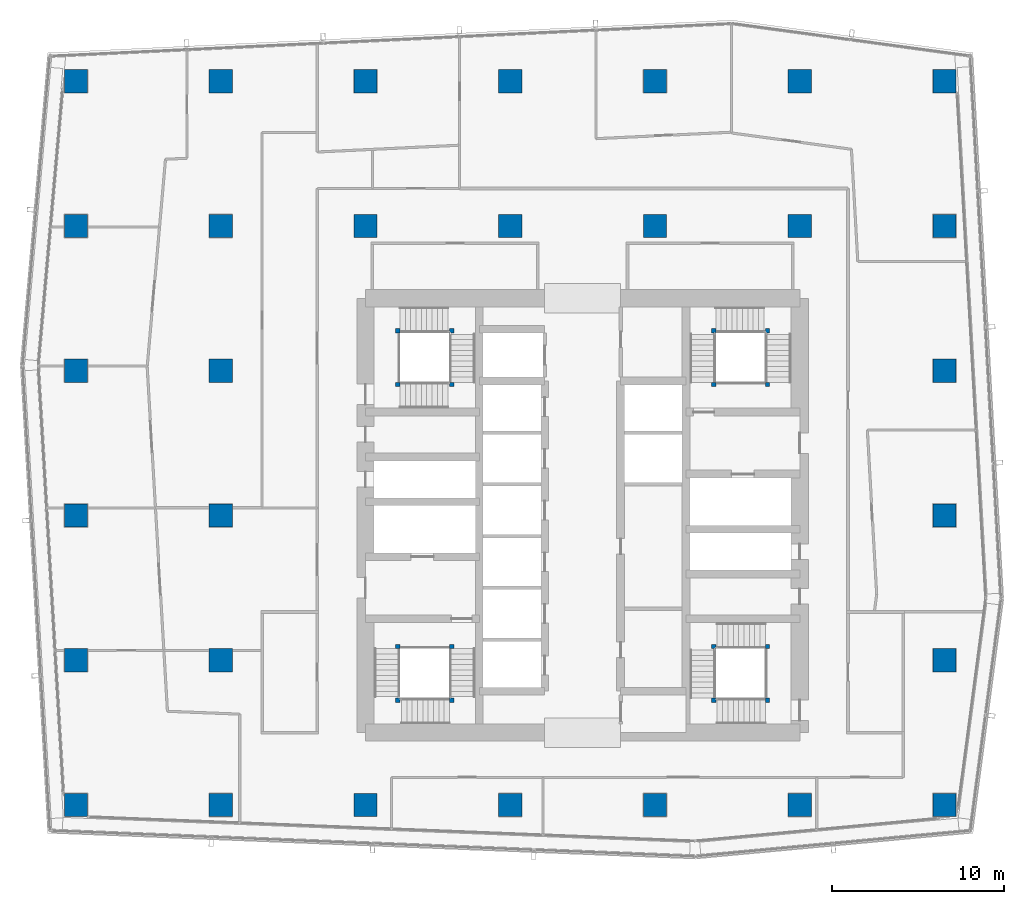
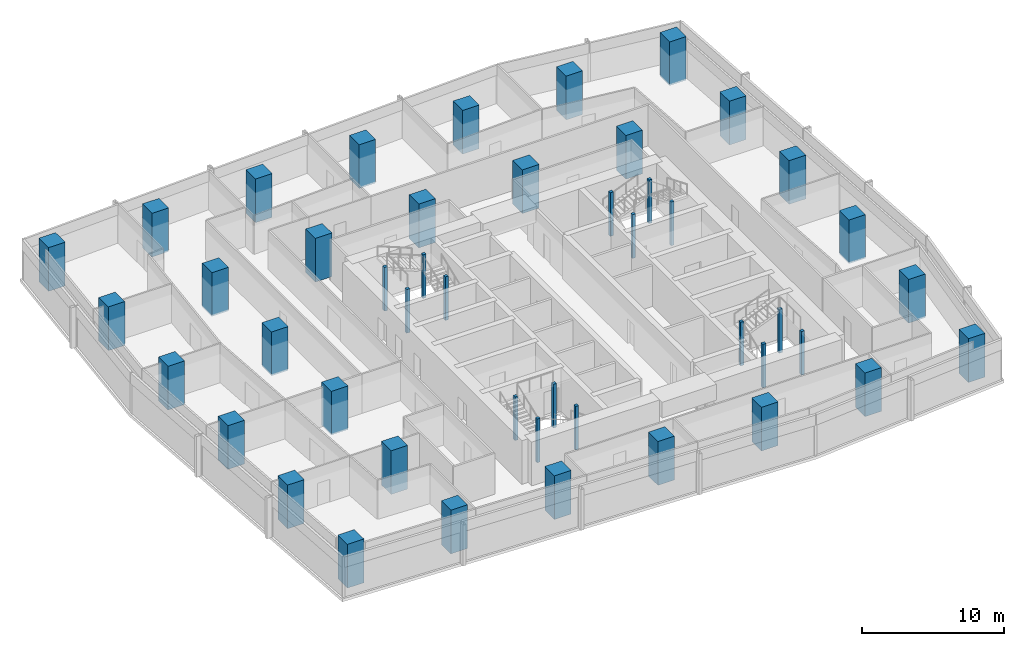
# One storey, part 1 of 39: 46 columns.
"""IFC4 building model written with IfcOpenShell, lengths in metres."""

from ifc_helpers import new_model, si_unit, direction, frame, origin, origin_2d, place, context, subcontext, project, spatial, rectangle, extrude, material, material_profile, profile_set, type_object, element, save


model = new_model("IFC4")

# Units and contexts
model_context = context("Model", 3, precision=1e-05, world=origin(), true_north=direction((0.0, 1.0)))
body_context = subcontext(model_context, "Body", "Model", "MODEL_VIEW")
ifc_project = project(units=[si_unit("LENGTHUNIT", "METRE"), si_unit("AREAUNIT", "SQUARE_METRE"), si_unit("VOLUMEUNIT", "CUBIC_METRE"), si_unit("PLANEANGLEUNIT", "RADIAN"), si_unit("MASSUNIT", "GRAM", prefix="KILO")], contexts=[model_context])

# Site, building, storey
site_placement = place(None, origin())
site = spatial("IfcSite", under=ifc_project, at=site_placement, CompositionType="ELEMENT")
building_placement = place(site_placement, origin())
building = spatial("IfcBuilding", under=site, at=building_placement, Name="Rekha Terrace Tower", CompositionType="ELEMENT")
storey_placement = place(building_placement, frame((0.0, 0.0, 217.699951171875)))
storey = spatial("IfcBuildingStorey", under=building, at=storey_placement, Name="L55", CompositionType="ELEMENT", Elevation=217.699951171875)

# Columns
ifc_material_1 = material(Name="Concrete M70", Category="concrete")
ifc_material_profile_1 = material_profile(ifc_material_1, rectangle(XDim=1.35009765625, YDim=1.35009765625, at=origin_2d()), Name="RC 1350x1350")
ifc_profile_set_1 = profile_set([ifc_material_profile_1], Name="Concrete M70")
column_type_1 = type_object("IfcColumnType", Name="C4 1350x1350 column", PredefinedType="COLUMN", material=ifc_profile_set_1)
for number, where, z_axis, x_axis, name in (
    (1, (8.39990234375, 16.800048828125, 0.0), (0.0, 0.0, 1.0), (1.0, 0.0, 0.0), "Column C4 2/C L55"),
    (2, (8.39990234375, 25.199951171875, 0.0), (0.0, 0.0, 1.0), (1.0, 0.0, 0.0), "Column C4 2/D L55"),
    (3, (8.39990234375, 33.60009765625, 0.0), (0.0, 0.0, 1.0), (1.0, 0.0, 0.0), "Column C4 2/E L55"),
    (4, (8.39990234375, 42.0, 0.0), (0.0, 0.0, 1.0), (1.0, 0.0, 0.0), "Column C4 2/F L55"),
    (5, (8.39990234375, 50.39990234375, 0.0), (0.0, 0.0, 1.0), (1.0, 0.0, 0.0), "Column C4 2/G L55"),
    (6, (8.39990234375, 58.800048828125, 0.0), (0.0, 0.0, 1.0), (1.0, 0.0, 0.0), "Column C4 2/H L55"),
    (7, (16.800048828125, 16.800048828125, 0.0), (0.0, 0.0, 1.0), (1.0, 0.0, 0.0), "Column C4 3/C L55"),
    (8, (16.800048828125, 25.199951171875, 0.0), (0.0, 0.0, 1.0), (1.0, 0.0, 0.0), "Column C4 3/D L55"),
    (9, (16.800048828125, 33.60009765625, 0.0), (0.0, 0.0, 1.0), (1.0, 0.0, 0.0), "Column C4 3/E L55"),
    (10, (16.800048828125, 42.0, 0.0), (0.0, 0.0, 1.0), (1.0, 0.0, 0.0), "Column C4 3/F L55"),
    (11, (16.800048828125, 50.39990234375, 0.0), (0.0, 0.0, 1.0), (1.0, 0.0, 0.0), "Column C4 3/G L55"),
    (12, (16.800048828125, 58.800048828125, 0.0), (0.0, 0.0, 1.0), (1.0, 0.0, 0.0), "Column C4 3/H L55"),
    (13, (25.199951171875, 16.800048828125, 0.0), (0.0, 0.0, 1.0), (1.0, 0.0, 0.0), "Column C4 4/C L55"),
    (14, (25.199951171875, 50.39990234375, 0.0), (0.0, 0.0, 1.0), (1.0, 0.0, 0.0), "Column C4 4/G L55"),
    (15, (25.199951171875, 58.800048828125, 0.0), (0.0, 0.0, 1.0), (1.0, 0.0, 0.0), "Column C4 4/H L55"),
    (16, (33.60009765625, 16.800048828125, 0.0), (0.0, 0.0, 1.0), (1.0, 0.0, 0.0), "Column C4 5/C L55"),
    (17, (33.60009765625, 50.39990234375, 0.0), (0.0, 0.0, 1.0), (1.0, 0.0, 0.0), "Column C4 5/G L55"),
    (18, (33.60009765625, 58.800048828125, 0.0), (0.0, 0.0, 1.0), (1.0, 0.0, 0.0), "Column C4 5/H L55"),
    (19, (42.0, 16.800048828125, 0.0), (0.0, 0.0, 1.0), (1.0, 0.0, 0.0), "Column C4 6/C L55"),
    (20, (42.0, 50.39990234375, 0.0), (0.0, 0.0, 1.0), (1.0, 0.0, 0.0), "Column C4 6/G L55"),
    (21, (42.0, 58.800048828125, 0.0), (0.0, 0.0, 1.0), (1.0, 0.0, 0.0), "Column C4 6/H L55"),
    (22, (50.39990234375, 16.800048828125, 0.0), (0.0, 0.0, 1.0), (1.0, 0.0, 0.0), "Column C4 7/C L55"),
    (23, (50.39990234375, 50.39990234375, 0.0), (0.0, 0.0, 1.0), (1.0, 0.0, 0.0), "Column C4 7/G L55"),
    (24, (50.39990234375, 58.800048828125, 0.0), (0.0, 0.0, 1.0), (1.0, 0.0, 0.0), "Column C4 7/H L55"),
    (25, (58.800048828125, 16.800048828125, 0.0), (0.0, 0.0, 1.0), (1.0, 0.0, 0.0), "Column C4 8/C L55"),
    (26, (58.800048828125, 25.199951171875, 0.0), (0.0, 0.0, 1.0), (1.0, 0.0, 0.0), "Column C4 8/D L55"),
    (27, (58.800048828125, 33.60009765625, 0.0), (0.0, 0.0, 1.0), (1.0, 0.0, 0.0), "Column C4 8/E L55"),
    (28, (58.800048828125, 42.0, 0.0), (0.0, 0.0, 1.0), (1.0, 0.0, 0.0), "Column C4 8/F L55"),
    (29, (58.800048828125, 50.39990234375, 0.0), (0.0, 0.0, 1.0), (1.0, 0.0, 0.0), "Column C4 8/G L55"),
    (30, (58.800048828125, 58.800048828125, 0.0), (0.0, 0.0, 1.0), (1.0, 0.0, 0.0), "Column C4 8/H L55"),
):
    element("IfcColumn", number, at=place(storey_placement, frame(where, z_axis=z_axis, x_axis=x_axis)), inside=storey, type_object=column_type_1, Name=name, PredefinedType="COLUMN", context=body_context, shape_type="SweptSolid", body=[
        extrude(rectangle(XDim=1.35009765625, YDim=1.35009765625, at=origin_2d()), origin(), (0.0, 0.0, 1.0), 3.75),
    ])
ifc_material_2 = material(Name="Concrete M60", Category="concrete")
ifc_material_profile_2 = material_profile(ifc_material_2, rectangle(XDim=0.25, YDim=0.25, at=origin_2d()), Name="RC 250x250")
ifc_profile_set_2 = profile_set([ifc_material_profile_2], Name="Concrete M60")
column_type_2 = type_object("IfcColumnType", Name="NP1 250x250 stair newel post", PredefinedType="COLUMN", material=ifc_profile_set_2)
for number, where, z_axis, x_axis, name in (
    (31, (30.199951171875, 26.0, 0.0), (0.0, 0.0, 1.0), (1.0, 0.0, 0.0), "Stair newel post NP1"),
    (32, (30.199951171875, 22.875, 0.0), (0.0, 0.0, 1.0), (1.0, 0.0, 0.0), "Stair newel post NP1"),
    (33, (27.074951171875, 22.875, 0.0), (0.0, 0.0, 1.0), (1.0, 0.0, 0.0), "Stair newel post NP1"),
    (34, (27.074951171875, 26.0, 0.0), (0.0, 0.0, 1.0), (1.0, 0.0, 0.0), "Stair newel post NP1"),
    (35, (45.39990234375, 41.199951171875, 0.0), (0.0, 0.0, 1.0), (1.0, 0.0, 0.0), "Stair newel post NP1"),
    (36, (45.39990234375, 44.324951171875, 0.0), (0.0, 0.0, 1.0), (1.0, 0.0, 0.0), "Stair newel post NP1"),
    (37, (48.52490234375, 44.324951171875, 0.0), (0.0, 0.0, 1.0), (1.0, 0.0, 0.0), "Stair newel post NP1"),
    (38, (48.52490234375, 41.199951171875, 0.0), (0.0, 0.0, 1.0), (1.0, 0.0, 0.0), "Stair newel post NP1"),
    (39, (48.52490234375, 22.875, 0.0), (0.0, 0.0, 1.0), (1.0, 0.0, 0.0), "Stair newel post NP1"),
    (40, (45.39990234375, 22.875, 0.0), (0.0, 0.0, 1.0), (1.0, 0.0, 0.0), "Stair newel post NP1"),
    (41, (45.39990234375, 26.0, 0.0), (0.0, 0.0, 1.0), (1.0, 0.0, 0.0), "Stair newel post NP1"),
    (42, (48.52490234375, 26.0, 0.0), (0.0, 0.0, 1.0), (1.0, 0.0, 0.0), "Stair newel post NP1"),
    (43, (27.074951171875, 41.199951171875, 0.0), (0.0, 0.0, 1.0), (1.0, 0.0, 0.0), "Stair newel post NP1"),
    (44, (30.199951171875, 41.199951171875, 0.0), (0.0, 0.0, 1.0), (1.0, 0.0, 0.0), "Stair newel post NP1"),
    (45, (30.199951171875, 44.324951171875, 0.0), (0.0, 0.0, 1.0), (1.0, 0.0, 0.0), "Stair newel post NP1"),
    (46, (27.074951171875, 44.324951171875, 0.0), (0.0, 0.0, 1.0), (1.0, 0.0, 0.0), "Stair newel post NP1"),
):
    element("IfcColumn", number, at=place(storey_placement, frame(where, z_axis=z_axis, x_axis=x_axis)), inside=storey, type_object=column_type_2, Name=name, PredefinedType="COLUMN", context=body_context, shape_type="SweptSolid", body=[
        extrude(rectangle(XDim=0.25, YDim=0.25, at=origin_2d()), origin(), (0.0, 0.0, 1.0), 3.75),
    ])

save(model, "model.ifc")
